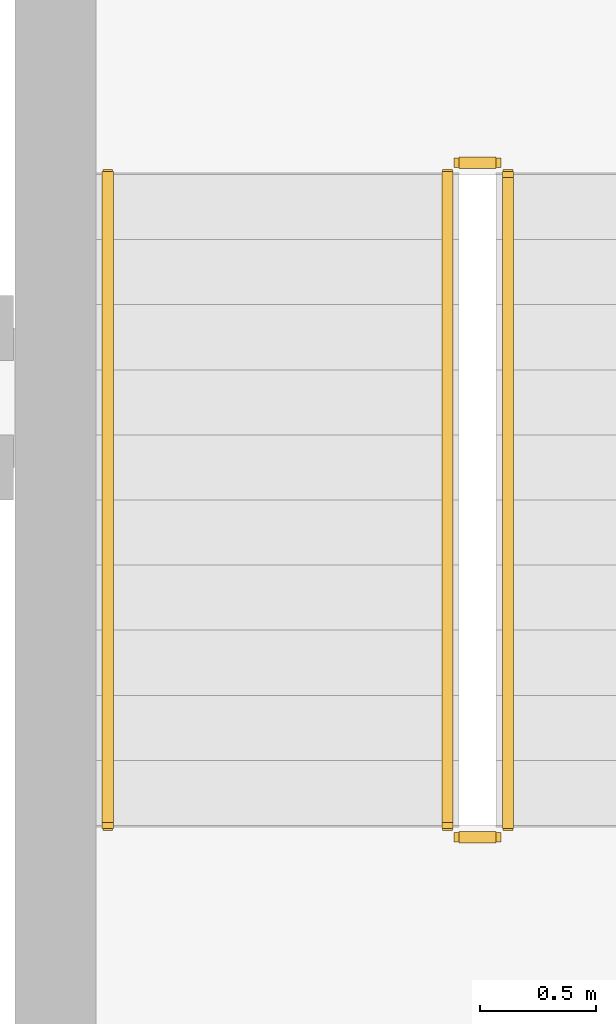
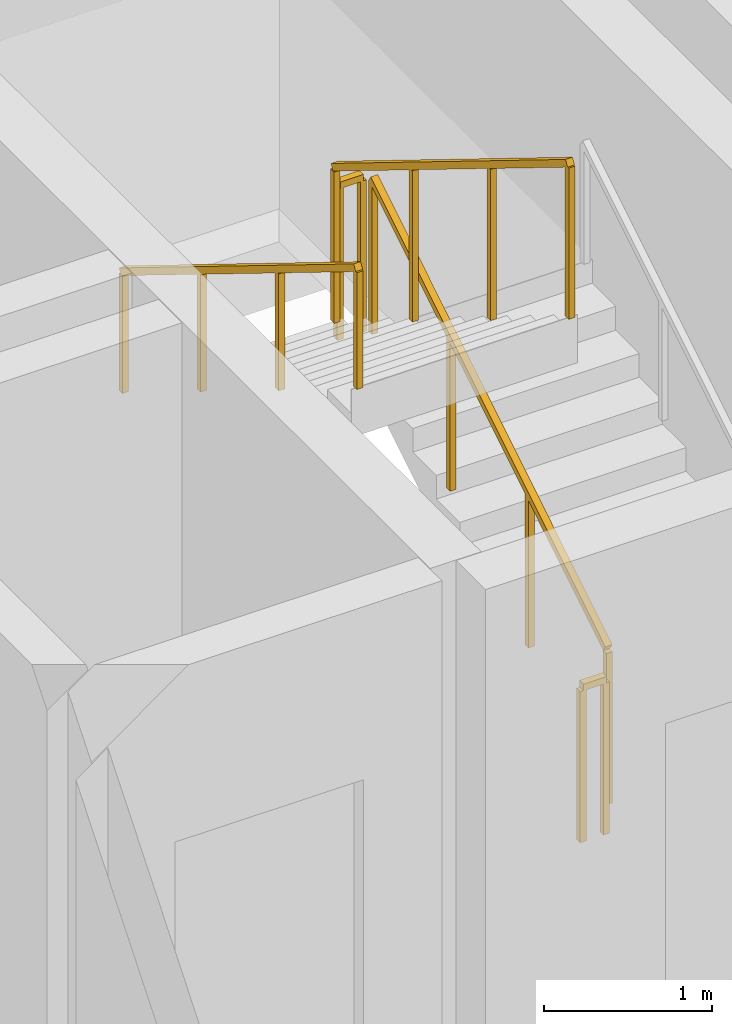
# One storey, part 14 of 15: 5 railings.
"""IFC4 building model written with IfcOpenShell, lengths in metres."""

from ifc_helpers import new_model, si_unit, direction, frame, origin, origin_2d, place, context, subcontext, project, spatial, rectangle, extrude, material, type_object, element, save


model = new_model("IFC4")

# Units and contexts
model_context = context("Model", 3, precision=1e-05, world=origin(), true_north=direction((0.0, 1.0)))
body_context = subcontext(model_context, "Body", "Model", "MODEL_VIEW")
ifc_project = project(units=[si_unit("LENGTHUNIT", "METRE"), si_unit("AREAUNIT", "SQUARE_METRE"), si_unit("VOLUMEUNIT", "CUBIC_METRE"), si_unit("PLANEANGLEUNIT", "RADIAN"), si_unit("MASSUNIT", "GRAM", prefix="KILO")], contexts=[model_context])

# Site, building, storey
site_placement = place(None, origin())
site = spatial("IfcSite", under=ifc_project, at=site_placement, CompositionType="ELEMENT")
building_placement = place(site_placement, origin())
building = spatial("IfcBuilding", under=site, at=building_placement, Name="Kaelvorn Grand Hotel", CompositionType="ELEMENT")
storey_placement = place(building_placement, frame((0.0, 0.0, 158.14990234375)))
storey = spatial("IfcBuildingStorey", under=building, at=storey_placement, Name="L38", CompositionType="ELEMENT", Elevation=158.14990234375)

# Railings
ifc_material = material(Name="Stainless Steel", Category="steel")
railing_type_1 = type_object("IfcRailingType", Name="RL-HANDRAIL-900", PredefinedType="HANDRAIL", material=ifc_material)
railing_1_placement = place(storey_placement, frame((63.3701171875, 44.56005859375, 2.07275390625)))
element("IfcRailing", 1, at=railing_1_placement, inside=storey, type_object=railing_type_1, Name="L38 ST3 stair handrail 2", PredefinedType="HANDRAIL", context=body_context, shape_type="SweptSolid", body=[
    extrude(rectangle(XDim=0.048095703125, YDim=0.048095703125, at=origin_2d()), frame((0.0, 0.0, 0.8759765625), z_axis=(0.0, -0.851089632645, 0.525020415988), x_axis=(1.0, 0.0, 0.0)), (0.0, 0.0, 1.0), 3.2900390625),
    extrude(rectangle(XDim=0.0419921875, YDim=0.0419921875, at=origin_2d()), origin(), (0.0, 0.0, 1.0), 0.851806640625),
    extrude(rectangle(XDim=0.0419921875, YDim=0.0419921875, at=origin_2d()), frame((0.0, -0.933349609375, 0.57568359375)), (0.0, 0.0, 1.0), 0.851806640625),
    extrude(rectangle(XDim=0.0419921875, YDim=0.0419921875, at=origin_2d()), frame((0.0, -1.86669921875, 1.151611328125)), (0.0, 0.0, 1.0), 0.851806640625),
    extrude(rectangle(XDim=0.0419921875, YDim=0.0419921875, at=origin_2d()), frame((0.0, -2.800048828125, 1.727294921875)), (0.0, 0.0, 1.0), 0.851806640625),
])
railing_type_2 = type_object("IfcRailingType", Name="RL-STAIR-GUARD-1150", PredefinedType="BALUSTRADE", material=ifc_material)
railing_2_placement = place(storey_placement, frame((65.090087890625, 41.760009765625, 0.1728515625)))
element("IfcRailing", 2, at=railing_2_placement, inside=storey, type_object=railing_type_2, Name="L38 ST3 stair guard 1", PredefinedType="BALUSTRADE", context=body_context, shape_type="SweptSolid", body=[
    extrude(rectangle(XDim=0.048095703125, YDim=0.048095703125, at=origin_2d()), frame((0.0, 0.0, 1.1259765625), z_axis=(0.0, 0.851089632645, 0.525020415988), x_axis=(-1.0, 0.0, 0.0)), (0.0, 0.0, 1.0), 3.2900390625),
    extrude(rectangle(XDim=0.0419921875, YDim=0.0419921875, at=origin_2d()), origin(), (0.0, 0.0, 1.0), 1.101806640625),
    extrude(rectangle(XDim=0.0419921875, YDim=0.0419921875, at=origin_2d()), frame((0.0, 0.933349609375, 0.57568359375)), (0.0, 0.0, 1.0), 1.101806640625),
    extrude(rectangle(XDim=0.0419921875, YDim=0.0419921875, at=origin_2d()), frame((0.0, 1.86669921875, 1.151611328125)), (0.0, 0.0, 1.0), 1.101806640625),
    extrude(rectangle(XDim=0.0419921875, YDim=0.0419921875, at=origin_2d()), frame((0.0, 2.800048828125, 1.727294921875)), (0.0, 0.0, 1.0), 1.101806640625),
])
railing_3_placement = place(storey_placement, frame((65.0400390625, 44.610107421875, 1.900146484375)))
element("IfcRailing", 3, at=railing_3_placement, inside=storey, type_object=railing_type_2, Name="L38 ST3 stair guard 2", PredefinedType="BALUSTRADE", context=body_context, shape_type="SweptSolid", body=[
    extrude(rectangle(XDim=0.048095703125, YDim=0.048095703125, at=origin_2d()), frame((0.0, 0.0, 1.1259765625), z_axis=(-1.0, 0.0, 0.0), x_axis=(0.0, -1.0, 0.0)), (0.0, 0.0, 1.0), 0.16015625),
    extrude(rectangle(XDim=0.0419921875, YDim=0.0419921875, at=origin_2d()), origin(), (0.0, 0.0, 1.0), 1.101806640625),
    extrude(rectangle(XDim=0.0419921875, YDim=0.0419921875, at=origin_2d()), frame((-0.16015625, 0.0, 0.0)), (0.0, 0.0, 1.0), 1.101806640625),
])
railing_4_placement = place(storey_placement, frame((64.830078125, 44.56005859375, 2.07275390625)))
element("IfcRailing", 4, at=railing_4_placement, inside=storey, type_object=railing_type_2, Name="L38 ST3 stair guard 3", PredefinedType="BALUSTRADE", context=body_context, shape_type="SweptSolid", body=[
    extrude(rectangle(XDim=0.048095703125, YDim=0.048095703125, at=origin_2d()), frame((0.0, 0.0, 1.1259765625), z_axis=(0.0, -0.851089632645, 0.525020415988), x_axis=(1.0, 0.0, 0.0)), (0.0, 0.0, 1.0), 3.2900390625),
    extrude(rectangle(XDim=0.0419921875, YDim=0.0419921875, at=origin_2d()), origin(), (0.0, 0.0, 1.0), 1.101806640625),
    extrude(rectangle(XDim=0.0419921875, YDim=0.0419921875, at=origin_2d()), frame((0.0, -0.933349609375, 0.57568359375)), (0.0, 0.0, 1.0), 1.101806640625),
    extrude(rectangle(XDim=0.0419921875, YDim=0.0419921875, at=origin_2d()), frame((0.0, -1.86669921875, 1.151611328125)), (0.0, 0.0, 1.0), 1.101806640625),
    extrude(rectangle(XDim=0.0419921875, YDim=0.0419921875, at=origin_2d()), frame((0.0, -2.800048828125, 1.727294921875)), (0.0, 0.0, 1.0), 1.101806640625),
])
railing_5_placement = place(storey_placement, frame((65.0400390625, 41.7099609375, 0.0)))
element("IfcRailing", 5, at=railing_5_placement, inside=storey, type_object=railing_type_2, Name="L38 ST3 stair guard 4", PredefinedType="BALUSTRADE", context=body_context, shape_type="SweptSolid", body=[
    extrude(rectangle(XDim=0.048095703125, YDim=0.048095703125, at=origin_2d()), frame((0.0, 0.0, 1.1259765625), z_axis=(-1.0, 0.0, 0.0), x_axis=(0.0, -1.0, 0.0)), (0.0, 0.0, 1.0), 0.16015625),
    extrude(rectangle(XDim=0.0419921875, YDim=0.0419921875, at=origin_2d()), origin(), (0.0, 0.0, 1.0), 1.101806640625),
    extrude(rectangle(XDim=0.0419921875, YDim=0.0419921875, at=origin_2d()), frame((-0.16015625, 0.0, 0.0)), (0.0, 0.0, 1.0), 1.101806640625),
])

save(model, "model.ifc")
